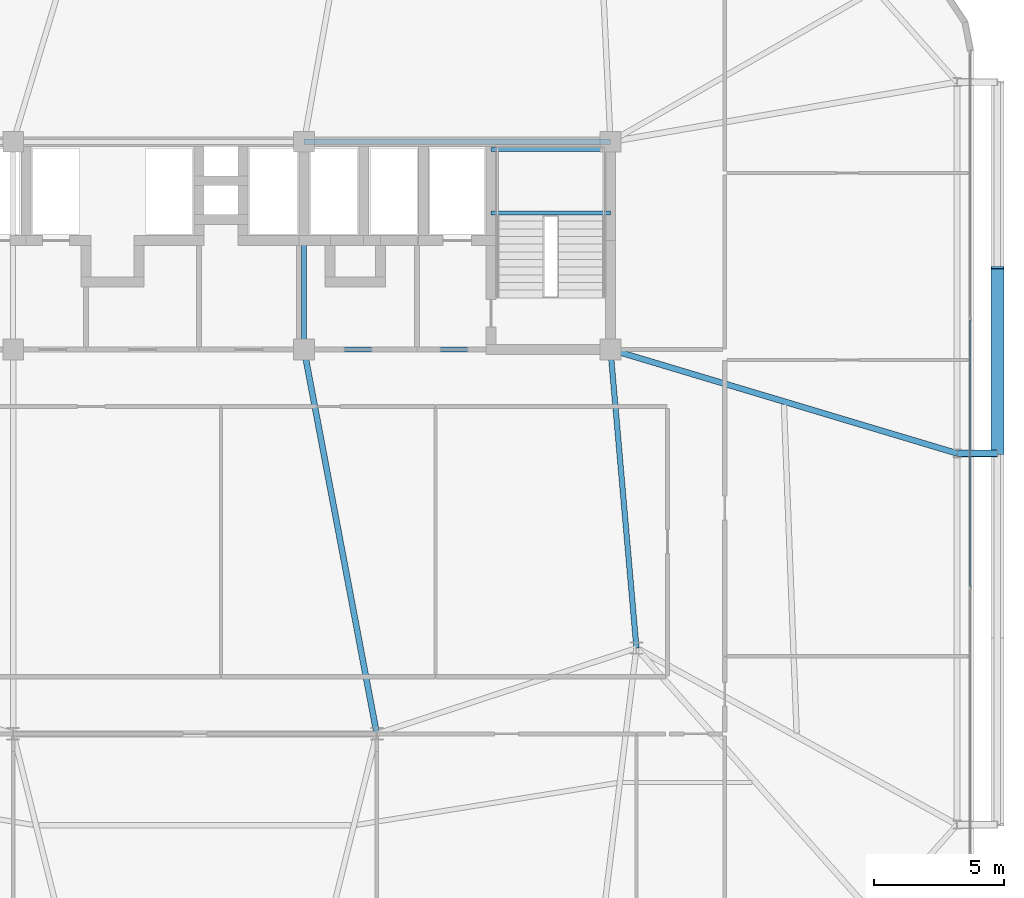
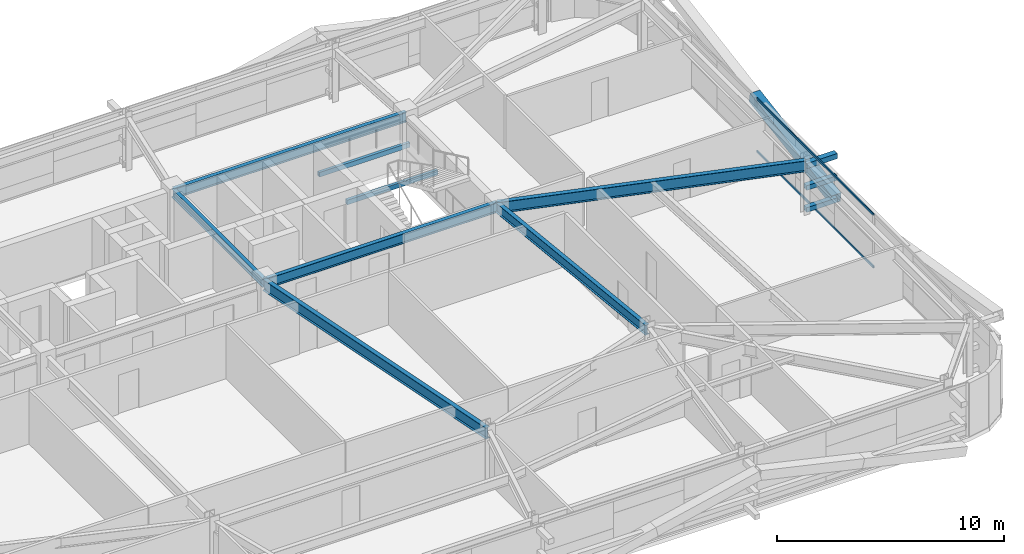
# One storey, part 18 of 45: 8 beams, 6 members, 1 element without a shape of its own.
"""IFC4 building model written with IfcOpenShell, lengths in metres."""

from ifc_helpers import new_model, si_unit, direction, frame, origin, origin_2d, place, context, subcontext, project, spatial, hollow_rectangle, i_section, extrude, source, transform, mapped, material, layer, layer_set, material_profile, profile_set, type_object, element, aggregate, save


model = new_model("IFC4")

# Units and contexts
model_context = context("Model", 3, precision=1e-05, world=origin(), true_north=direction((0.0, 1.0)))
body_context = subcontext(model_context, "Body", "Model", "MODEL_VIEW")
ifc_project = project(units=[si_unit("LENGTHUNIT", "METRE"), si_unit("AREAUNIT", "SQUARE_METRE"), si_unit("VOLUMEUNIT", "CUBIC_METRE"), si_unit("PLANEANGLEUNIT", "RADIAN"), si_unit("MASSUNIT", "GRAM", prefix="KILO")], contexts=[model_context])

# Site, building, storey
site_placement = place(None, origin())
site = spatial("IfcSite", under=ifc_project, at=site_placement, CompositionType="ELEMENT")
building_placement = place(site_placement, origin())
building = spatial("IfcBuilding", under=site, at=building_placement, Name="Taldren Reach Tower", CompositionType="ELEMENT")
storey_placement = place(building_placement, frame((0.0, 0.0, 57.75)))
storey = spatial("IfcBuildingStorey", under=building, at=storey_placement, Name="L17", CompositionType="ELEMENT", Elevation=57.75)

# Beams
ifc_material_1 = material(Name="Steel Gr 350 (350PLUS)", Category="steel")
ifc_material_profile_1 = material_profile(ifc_material_1, i_section(OverallWidth=0.208984375, OverallDepth=0.532958984375, WebThickness=0.01025390625, FlangeThickness=0.015625, at=origin_2d()), Name="530UB92.4")
ifc_profile_set_1 = profile_set([ifc_material_profile_1], Name="Steel Gr 350 (350PLUS)")
beam_type_1 = type_object("IfcBeamType", Name="BM-UB530A", PredefinedType="BEAM", material=ifc_profile_set_1)
shared_shape_1 = source(origin(), body_context, "Body", "SweptSolid", [
    extrude(i_section(OverallWidth=0.208984375, OverallDepth=0.532958984375, WebThickness=0.01025390625, FlangeThickness=0.015625, at=origin_2d()), origin(), (0.0, 0.0, 1.0), 11.800048828125),
])
for number, where, z_axis, x_axis, name in (
    (1, (39.199951171875, 24.0, 2.603515625), (1.0, 0.0, 0.0), (0.0, 1.0, 0.0), "Core-spine girder L17-SP03"),
    (2, (39.199951171875, 32.0, 2.603515625), (1.0, 0.0, 0.0), (0.0, 1.0, 0.0), "Core-spine girder L17-SP06"),
):
    element("IfcBeam", number, at=place(storey_placement, frame(where, z_axis=z_axis, x_axis=x_axis)), inside=storey, type_object=beam_type_1, Name=name, PredefinedType="BEAM", context=body_context, shape_type="MappedRepresentation", body=[
        mapped(shared_shape_1, transform((0.0, 0.0, 0.0), scale=1.0)),
    ])
ifc_material_profile_2 = material_profile(ifc_material_1, i_section(OverallWidth=0.19091796875, OverallDepth=0.4599609375, WebThickness=0.010009765625, FlangeThickness=0.01611328125, at=origin_2d()), Name="460UB82.1")
ifc_profile_set_2 = profile_set([ifc_material_profile_2], Name="Steel Gr 350 (350PLUS)")
beam_type_2 = type_object("IfcBeamType", Name="BM-UB460A", PredefinedType="BEAM", material=ifc_profile_set_2)
shared_shape_2 = source(origin(), body_context, "Body", "SweptSolid", [
    extrude(i_section(OverallWidth=0.19091796875, OverallDepth=0.4599609375, WebThickness=0.010009765625, FlangeThickness=0.01611328125, at=origin_2d()), origin(), (0.0, 0.0, 1.0), 8.0),
])
beam_1_placement = place(storey_placement, frame((39.199951171875, 24.0, 2.639892578125), z_axis=(0.0, 1.0, 0.0), x_axis=(-1.0, 0.0, 0.0)))
element("IfcBeam", 3, at=beam_1_placement, inside=storey, type_object=beam_type_2, Name="Core-spine girder L17-SP08", PredefinedType="BEAM", context=body_context, shape_type="MappedRepresentation", body=[
    mapped(shared_shape_2, transform((0.0, 0.0, 0.0), scale=1.0)),
])
shared_shape_3 = source(origin(), body_context, "Body", "SweptSolid", [
    extrude(i_section(OverallWidth=0.208984375, OverallDepth=0.532958984375, WebThickness=0.01025390625, FlangeThickness=0.015625, at=origin_2d()), origin(), (0.0, 0.0, 1.0), 11.54345703125),
])
beam_2_placement = place(storey_placement, frame((52.0, 12.5, 2.603515625), z_axis=(-0.086629616365, 0.996240588196, 0.0), x_axis=(-0.996240588196, -0.086629616365, 0.0)))
element("IfcBeam", 4, at=beam_2_placement, inside=storey, type_object=beam_type_1, Name="Core-spine girder L17-SP13", PredefinedType="BEAM", context=body_context, shape_type="MappedRepresentation", body=[
    mapped(shared_shape_3, transform((0.0, 0.0, 0.0), scale=1.0)),
])
ifc_material_profile_3 = material_profile(ifc_material_1, i_section(OverallWidth=0.22802734375, OverallDepth=0.60205078125, WebThickness=0.010498046875, FlangeThickness=0.014892578125, at=origin_2d()), Name="610UB101")
ifc_profile_set_3 = profile_set([ifc_material_profile_3], Name="Steel Gr 350 (350PLUS)")
beam_type_3 = type_object("IfcBeamType", Name="BM-UB610B", PredefinedType="BEAM", material=ifc_profile_set_3)
shared_shape_4 = source(origin(), body_context, "Body", "SweptSolid", [
    extrude(i_section(OverallWidth=0.22802734375, OverallDepth=0.60205078125, WebThickness=0.010498046875, FlangeThickness=0.014892578125, at=origin_2d()), origin(), (0.0, 0.0, 1.0), 15.0625),
])
beam_3_placement = place(storey_placement, frame((39.199951171875, 24.0, 2.569091796875), z_axis=(0.185894205668, -0.982569765614, 0.0), x_axis=(0.982569765614, 0.185894205668, 0.0)))
element("IfcBeam", 5, at=beam_3_placement, inside=storey, type_object=beam_type_3, Name="Core-spine girder L17-SP15", PredefinedType="BEAM", context=body_context, shape_type="MappedRepresentation", body=[
    mapped(shared_shape_4, transform((0.0, 0.0, 0.0), scale=1.0)),
])
shared_shape_5 = source(origin(), body_context, "Body", "SweptSolid", [
    extrude(i_section(OverallWidth=0.22802734375, OverallDepth=0.60205078125, WebThickness=0.010498046875, FlangeThickness=0.014892578125, at=origin_2d()), origin(), (0.0, 0.0, 1.0), 13.9365234375),
])
beam_4_placement = place(storey_placement, frame((51.0, 24.0, 2.569091796875), z_axis=(0.957925550891, -0.287016792104, 0.0), x_axis=(0.287016792104, 0.957925550891, 0.0)))
element("IfcBeam", 6, at=beam_4_placement, inside=storey, type_object=beam_type_3, Name="Primary floor girder B1-E2 L17", PredefinedType="BEAM", context=body_context, shape_type="MappedRepresentation", body=[
    mapped(shared_shape_5, transform((0.0, 0.0, 0.0), scale=1.0)),
])

# Members
ifc_material_2 = material(Name="Steel Gr 450 (C450L0)", Category="steel")
ifc_material_profile_4 = material_profile(ifc_material_2, hollow_rectangle(XDim=0.27490234375, YDim=0.27490234375, WallThickness=0.00927734375, at=origin_2d()), Name="275x275x9.3SHS")
ifc_profile_set_4 = profile_set([ifc_material_profile_4], Name="Steel Gr 450 (C450L0)")
member_type_1 = type_object("IfcMemberType", Name="MB-TIE273", PredefinedType="STRUT", material=ifc_profile_set_4)
shared_shape_6 = source(origin(), body_context, "Body", "SweptSolid", [
    extrude(hollow_rectangle(XDim=0.27490234375, YDim=0.27490234375, WallThickness=0.00927734375, at=origin_2d()), origin(), (0.0, 0.0, 1.0), 1.5498046875),
])
member_1_placement = place(storey_placement, frame((64.35009765625, 20.0, 2.590087890625), z_axis=(1.0, 0.0, 0.0), x_axis=(0.0, 1.0, 0.0)))
element("IfcMember", 7, at=member_1_placement, inside=storey, type_object=member_type_1, Name="Exoskeleton diaphragm tie strut B1-E2 L17", PredefinedType="STRUT", context=body_context, shape_type="MappedRepresentation", body=[
    mapped(shared_shape_6, transform((0.0, 0.0, 0.0), scale=1.0)),
])
ifc_material_3 = material(Name="Steel Gr 350 (C350L0)", Category="steel")
ifc_material_profile_5 = material_profile(ifc_material_3, hollow_rectangle(XDim=0.25, YDim=0.25, WallThickness=0.010009765625, at=origin_2d()), Name="250x250x10.0SHS")
ifc_profile_set_5 = profile_set([ifc_material_profile_5], Name="Steel Gr 350 (C350L0)")
member_type_2 = type_object("IfcMemberType", Name="MB-POST250", PredefinedType="POST", material=ifc_profile_set_5)
shared_shape_7 = source(origin(), body_context, "Body", "SweptSolid", [
    extrude(hollow_rectangle(XDim=0.25, YDim=0.25, WallThickness=0.010009765625, at=origin_2d()), origin(), (0.0, 0.0, 1.0), 1.5498046875),
])
for number, where, z_axis, x_axis, name in (
    (8, (64.35009765625, 20.0, 0.219970703125), (1.0, 0.0, 0.0), (0.0, 1.0, 0.0), "Exoskeleton base diaphragm tie strut B1-E2 L17"),
    (9, (64.35009765625, 20.0, 1.405029296875), (1.0, 0.0, 0.0), (0.0, 1.0, 0.0), "Exoskeleton mid-tier diaphragm tie B1-E2 L17"),
):
    element("IfcMember", number, at=place(storey_placement, frame(where, z_axis=z_axis, x_axis=x_axis)), inside=storey, type_object=member_type_2, Name=name, PredefinedType="POST", context=body_context, shape_type="MappedRepresentation", body=[
        mapped(shared_shape_7, transform((0.0, 0.0, 0.0), scale=1.0)),
    ])
ifc_material_profile_6 = material_profile(ifc_material_2, hollow_rectangle(XDim=0.510009765625, YDim=0.510009765625, WallThickness=0.02001953125, at=origin_2d()), Name="510x510x20.0SHS")
ifc_profile_set_6 = profile_set([ifc_material_profile_6], Name="Steel Gr 450 (C450L0)")
member_type_3 = type_object("IfcMemberType", Name="MB-EXO508", PredefinedType="BRACE", material=ifc_profile_set_6)
shared_shape_8 = source(origin(), body_context, "Body", "SweptSolid", [
    extrude(hollow_rectangle(XDim=0.510009765625, YDim=0.510009765625, WallThickness=0.02001953125, at=origin_2d()), origin(), (0.0, 0.0, 1.0), 7.24755859375),
])
member_2_placement = place(storey_placement, frame((65.89990234375, 20.0, 0.219970703125), z_axis=(0.0, 0.986541018832, 0.163513969317), x_axis=(-1.0, 0.0, 0.0)))
element("IfcMember", 10, at=member_2_placement, inside=storey, type_object=member_type_3, Name="Exoskeleton Diagrid Brace B1-E2 L17", PredefinedType="BRACE", context=body_context, shape_type="MappedRepresentation", body=[
    mapped(shared_shape_8, transform((0.0, 0.0, 0.0), scale=1.0)),
])

# Curtain wall, members
ifc_material_4 = material(Name="Aluminium and Low-E Glass Unitised System", Category="aluminium")
ifc_layer = layer(ifc_material_4, 0.159912109375)
ifc_layer_set = layer_set([ifc_layer], Name="Aluminium and Low-E Glass Unitised System")
curtain_wall_type = type_object("IfcCurtainWallType", Name="CW-SYS-2", PredefinedType="NOTDEFINED", material=ifc_layer_set)
curtain_wall_placement = place(storey_placement, origin())
curtain_wall = element("IfcCurtainWall", 11, at=curtain_wall_placement, inside=storey, type_object=curtain_wall_type, Name="Unitised curtain wall CW-L17-E", PredefinedType="NOTDEFINED")
ifc_material_5 = material(Name="Anodised Aluminium 6063-T6", Category="aluminium")
ifc_material_profile_7 = material_profile(ifc_material_5, hollow_rectangle(XDim=0.054931640625, YDim=0.1201171875, WallThickness=0.0029296875, at=origin_2d()), Name="ALU-120x55x3RHS")
ifc_profile_set_7 = profile_set([ifc_material_profile_7], Name="Anodised Aluminium 6063-T6")
member_type_4 = type_object("IfcMemberType", Name="CW-TRN-135", PredefinedType="USERDEFINED", material=ifc_profile_set_7)
shared_shape_9 = source(origin(), body_context, "Body", "SweptSolid", [
    extrude(hollow_rectangle(XDim=0.054931640625, YDim=0.1201171875, WallThickness=0.0029296875, at=origin_2d()), origin(), (0.0, 0.0, 1.0), 10.2685546875),
])
member_3_placement = place(storey_placement, frame((64.860107421875, 14.86572265625, 0.027587890625), z_axis=(0.0, 1.0, 0.0), x_axis=(-1.0, 0.0, 0.0)))
member_3 = element("IfcMember", 12, at=member_3_placement, type_object=member_type_4, Name="CW-2 transom 2.1", ObjectType="TRANSOM", PredefinedType="USERDEFINED", context=body_context, shape_type="MappedRepresentation", body=[
    mapped(shared_shape_9, transform((0.0, 0.0, 0.0), scale=1.0)),
])
member_4_placement = place(storey_placement, frame((64.860107421875, 14.86572265625, 2.842529296875), z_axis=(0.0, 1.0, 0.0), x_axis=(-1.0, 0.0, 0.0)))
member_4 = element("IfcMember", 13, at=member_4_placement, type_object=member_type_4, Name="CW-2 transom 2.2", ObjectType="TRANSOM", PredefinedType="USERDEFINED", context=body_context, shape_type="MappedRepresentation", body=[
    mapped(shared_shape_9, transform((0.0, 0.0, 0.0), scale=1.0)),
])
aggregate(curtain_wall, [member_3, member_4])

# Beams
ifc_material_profile_8 = material_profile(ifc_material_3, hollow_rectangle(XDim=0.14990234375, YDim=0.25, WallThickness=0.009033203125, at=origin_2d()), Name="250x150x9.0RHS")
ifc_profile_set_8 = profile_set([ifc_material_profile_8], Name="Steel Gr 350 (C350L0)")
beam_type_4 = type_object("IfcBeamType", Name="LN-RHS250", PredefinedType="LINTEL", material=ifc_profile_set_8)
shared_shape_10 = source(origin(), body_context, "Body", "SweptSolid", [
    extrude(hollow_rectangle(XDim=0.14990234375, YDim=0.25, WallThickness=0.009033203125, at=origin_2d()), origin(), (0.0, 0.0, 1.0), 4.60009765625),
])
for number, where, z_axis, x_axis, name in (
    (14, (46.39990234375, 29.2548828125, 1.27001953125), (1.0, 0.0, 0.0), (0.0, 1.0, 0.0), "Stair half-landing support beam ST2-L17-1"),
    (15, (46.39990234375, 31.699951171875, 1.27001953125), (1.0, 0.0, 0.0), (0.0, 1.0, 0.0), "Stair half-landing support beam ST2-L17-2"),
):
    element("IfcBeam", number, at=place(storey_placement, frame(where, z_axis=z_axis, x_axis=x_axis)), inside=storey, type_object=beam_type_4, Name=name, PredefinedType="LINTEL", context=body_context, shape_type="MappedRepresentation", body=[
        mapped(shared_shape_10, transform((0.0, 0.0, 0.0), scale=1.0)),
    ])

save(model, "model.ifc")
